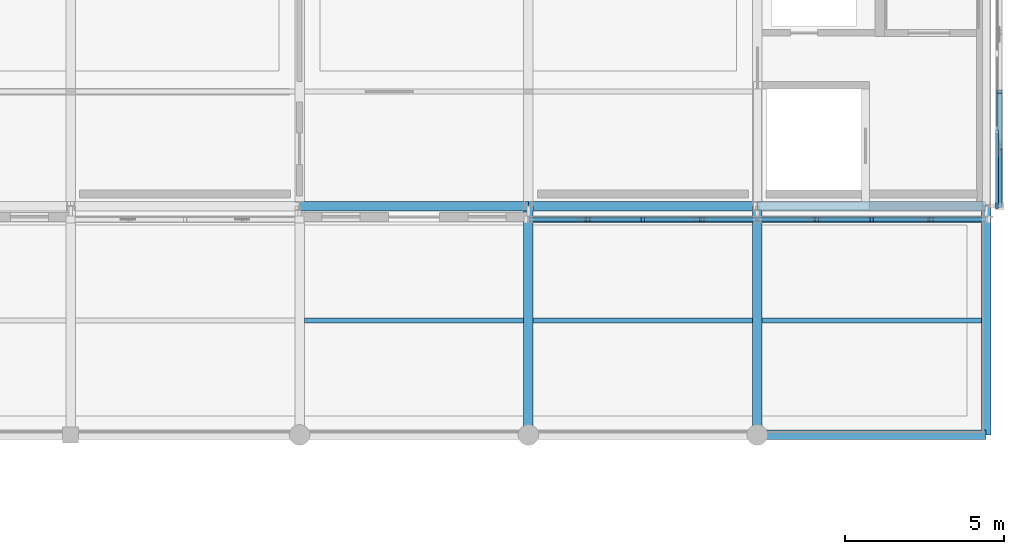
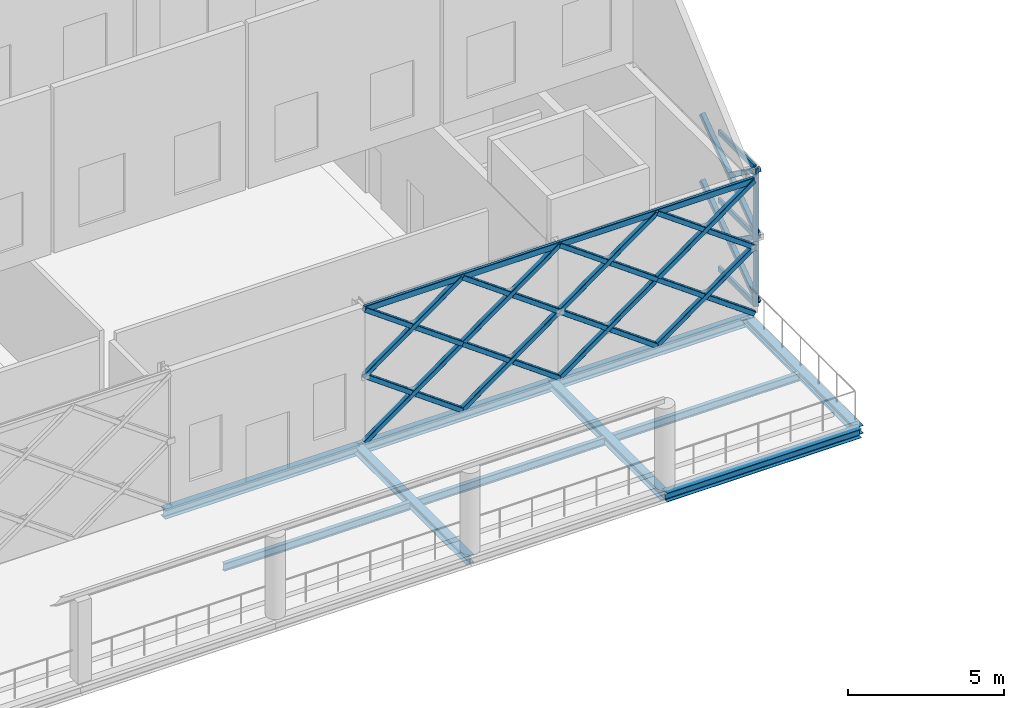
# One storey, part 13 of 31: 34 members, 10 beams, 1 element without a shape of its own.
"""IFC4 building model written with IfcOpenShell, lengths in metres."""

from ifc_helpers import new_model, si_unit, direction, frame, origin, origin_2d, place, context, subcontext, project, spatial, rectangle, hollow_rectangle, i_section, extrude, material, material_profile, profile_set, type_object, element, aggregate, save


model = new_model("IFC4")

# Units and contexts
model_context = context("Model", 3, precision=1e-05, world=origin(), true_north=direction((0.0, 1.0)))
body_context = subcontext(model_context, "Body", "Model", "MODEL_VIEW")
ifc_project = project(units=[si_unit("LENGTHUNIT", "METRE"), si_unit("AREAUNIT", "SQUARE_METRE"), si_unit("VOLUMEUNIT", "CUBIC_METRE"), si_unit("PLANEANGLEUNIT", "RADIAN"), si_unit("MASSUNIT", "GRAM", prefix="KILO")], contexts=[model_context])

# Site, building, storey
site_placement = place(None, origin())
site = spatial("IfcSite", under=ifc_project, at=site_placement, CompositionType="ELEMENT")
building_placement = place(site_placement, origin())
building = spatial("IfcBuilding", under=site, at=building_placement, Name="Zlatovets Crest Museum", CompositionType="ELEMENT")
storey_placement = place(building_placement, frame((0.0, 0.0, 25.199951171875)))
storey = spatial("IfcBuildingStorey", under=building, at=storey_placement, Name="L05", CompositionType="ELEMENT", Elevation=25.199951171875)

# Beams
ifc_material_1 = material(Name="Structural steel S355J2", Category="steel")
ifc_material_profile_1 = material_profile(ifc_material_1, i_section(OverallWidth=0.300048828125, OverallDepth=0.35009765625, WebThickness=0.010009765625, FlangeThickness=0.017578125, FilletRadius=0.027099609375, at=origin_2d()), Name="HEA 360")
ifc_profile_set_1 = profile_set([ifc_material_profile_1], Name="Structural steel S355J2")
beam_type_1 = type_object("IfcBeamType", Name="Beam_B-03", PredefinedType="BEAM", material=ifc_profile_set_1)
beam_1_placement = place(storey_placement, frame((100.800048828125, 86.39990234375, -0.4150390625), z_axis=(1.0, 0.0, 0.0), x_axis=(0.0, 1.0, 0.0)))
element("IfcBeam", 1, at=beam_1_placement, inside=storey, type_object=beam_type_1, Name="V1 L05 Primary Girder B-03", PredefinedType="BEAM", context=body_context, shape_type="SweptSolid", body=[
    extrude(i_section(OverallWidth=0.300048828125, OverallDepth=0.35009765625, WebThickness=0.010009765625, FlangeThickness=0.017578125, FilletRadius=0.027099609375, at=origin_2d()), origin(), (0.0, 0.0, 1.0), 7.199951171875),
])
beam_2_placement = place(storey_placement, frame((86.39990234375, 93.60009765625, -0.4150390625), z_axis=(1.0, 0.0, 0.0), x_axis=(0.0, 1.0, 0.0)))
element("IfcBeam", 2, at=beam_2_placement, inside=storey, type_object=beam_type_1, Name="V1 L05 Primary Girder B-03", PredefinedType="BEAM", context=body_context, shape_type="SweptSolid", body=[
    extrude(i_section(OverallWidth=0.300048828125, OverallDepth=0.35009765625, WebThickness=0.010009765625, FlangeThickness=0.017578125, FilletRadius=0.027099609375, at=origin_2d()), origin(), (0.0, 0.0, 1.0), 7.2001953125),
])
for number, where, z_axis, x_axis, name in (
    (3, (93.60009765625, 93.60009765625, -0.4150390625), (1.0, 0.0, 0.0), (0.0, 1.0, 0.0), "V1 L05 Primary Girder B-03"),
    (4, (100.800048828125, 93.60009765625, -0.4150390625), (1.0, 0.0, 0.0), (0.0, 1.0, 0.0), "V1 L05 Primary Girder B-03"),
):
    element("IfcBeam", number, at=place(storey_placement, frame(where, z_axis=z_axis, x_axis=x_axis)), inside=storey, type_object=beam_type_1, Name=name, PredefinedType="BEAM", context=body_context, shape_type="SweptSolid", body=[
        extrude(i_section(OverallWidth=0.300048828125, OverallDepth=0.35009765625, WebThickness=0.010009765625, FlangeThickness=0.017578125, FilletRadius=0.027099609375, at=origin_2d()), origin(), (0.0, 0.0, 1.0), 7.199951171875),
    ])
ifc_material_profile_2 = material_profile(ifc_material_1, i_section(OverallWidth=0.300048828125, OverallDepth=0.31005859375, WebThickness=0.009033203125, FlangeThickness=0.015380859375, FilletRadius=0.027099609375, at=origin_2d()), Name="HEA 320")
ifc_profile_set_2 = profile_set([ifc_material_profile_2], Name="Structural steel S355J2")
beam_type_2 = type_object("IfcBeamType", Name="Beam_B-04", PredefinedType="BEAM", material=ifc_profile_set_2)
for number, where, z_axis, x_axis, name in (
    (5, (93.60009765625, 86.39990234375, -0.39501953125), (0.0, 1.0, 0.0), (-1.0, 0.0, 0.0), "V1 L05 Grid Beam B-04"),
    (6, (100.800048828125, 86.39990234375, -0.39501953125), (0.0, 1.0, 0.0), (-1.0, 0.0, 0.0), "V1 L05 Grid Beam B-04"),
    (7, (108.0, 86.39990234375, -0.39501953125), (0.0, 1.0, 0.0), (-1.0, 0.0, 0.0), "V1 L05 Grid Beam B-04"),
):
    element("IfcBeam", number, at=place(storey_placement, frame(where, z_axis=z_axis, x_axis=x_axis)), inside=storey, type_object=beam_type_2, Name=name, PredefinedType="BEAM", context=body_context, shape_type="SweptSolid", body=[
        extrude(i_section(OverallWidth=0.300048828125, OverallDepth=0.31005859375, WebThickness=0.009033203125, FlangeThickness=0.015380859375, FilletRadius=0.027099609375, at=origin_2d()), origin(), (0.0, 0.0, 1.0), 7.2001953125),
    ])
ifc_material_profile_3 = material_profile(ifc_material_1, i_section(OverallWidth=0.14990234375, OverallDepth=0.300048828125, WebThickness=0.007080078125, FlangeThickness=0.0107421875, FilletRadius=0.014892578125, at=origin_2d()), Name="IPE 300")
ifc_profile_set_3 = profile_set([ifc_material_profile_3], Name="Structural steel S355J2")
beam_type_3 = type_object("IfcBeamType", Name="Beam_J-02", PredefinedType="JOIST", material=ifc_profile_set_3)
for number, where, z_axis, x_axis, name in (
    (8, (86.550048828125, 90.0, -0.389892578125), (1.0, 0.0, 0.0), (0.0, 1.0, 0.0), "V1 L05 Composite Joist J-02"),
    (9, (93.75, 90.0, -0.389892578125), (1.0, 0.0, 0.0), (0.0, 1.0, 0.0), "V1 L05 Composite Joist J-02"),
):
    element("IfcBeam", number, at=place(storey_placement, frame(where, z_axis=z_axis, x_axis=x_axis)), inside=storey, type_object=beam_type_3, Name=name, PredefinedType="JOIST", context=body_context, shape_type="SweptSolid", body=[
        extrude(i_section(OverallWidth=0.14990234375, OverallDepth=0.300048828125, WebThickness=0.007080078125, FlangeThickness=0.0107421875, FilletRadius=0.014892578125, at=origin_2d()), origin(), (0.0, 0.0, 1.0), 6.89990234375),
    ])
beam_3_placement = place(storey_placement, frame((100.949951171875, 90.0, -0.389892578125), z_axis=(1.0, 0.0, 0.0), x_axis=(0.0, 1.0, 0.0)))
element("IfcBeam", 10, at=beam_3_placement, inside=storey, type_object=beam_type_3, Name="V1 L05 Composite Joist J-02", PredefinedType="JOIST", context=body_context, shape_type="SweptSolid", body=[
    extrude(i_section(OverallWidth=0.14990234375, OverallDepth=0.300048828125, WebThickness=0.007080078125, FlangeThickness=0.0107421875, FilletRadius=0.014892578125, at=origin_2d()), origin(), (0.0, 0.0, 1.0), 6.900146484375),
])

# Curtain wall, members
ifc_material_2 = material(Name="Bronze-anodised aluminium and low-E triple glass", Category="aluminium")
curtain_wall_type = type_object("IfcCurtainWallType", Name="CW_CW-V1-L05-M3", PredefinedType="NOTDEFINED", material=ifc_material_2)
curtain_wall_placement = place(storey_placement, origin())
curtain_wall = element("IfcCurtainWall", 11, at=curtain_wall_placement, inside=storey, type_object=curtain_wall_type, Name="V1 L05 Expressed Core Glazed Facade", PredefinedType="NOTDEFINED")
ifc_material_3 = material(Name="Bronze-anodised aluminium EN AW-6060", Category="aluminium")
ifc_material_profile_4 = material_profile(ifc_material_3, rectangle(XDim=0.090087890625, YDim=0.199951171875, at=origin_2d()), Name="ALU 90x200")
ifc_profile_set_4 = profile_set([ifc_material_profile_4], Name="Bronze-anodised aluminium EN AW-6060")
member_type_1 = type_object("IfcMemberType", Name="CWMull_M2", PredefinedType="MULLION", material=ifc_profile_set_4)
member_1_placement = place(storey_placement, frame((108.340087890625, 93.6298828125, 0.0), z_axis=(0.0, 0.0, 1.0), x_axis=(-1.0, 0.0, 0.0)))
member_1 = element("IfcMember", 12, at=member_1_placement, type_object=member_type_1, Name="CW-V1-L05-M3 mullion 1", PredefinedType="MULLION", context=body_context, shape_type="SweptSolid", body=[
    extrude(rectangle(XDim=0.090087890625, YDim=0.199951171875, at=origin_2d()), origin(), (0.0, 0.0, 1.0), 5.400146484375),
])
ifc_material_profile_5 = material_profile(ifc_material_3, rectangle(XDim=0.090087890625, YDim=0.199951171875, at=origin_2d()), Name="ALU 90x200")
ifc_profile_set_5 = profile_set([ifc_material_profile_5], Name="Bronze-anodised aluminium EN AW-6060")
member_type_2 = type_object("IfcMemberType", Name="CWTrans_T2", PredefinedType="USERDEFINED", material=ifc_profile_set_5)
member_2_placement = place(storey_placement, frame((108.340087890625, 93.659912109375, 0.030029296875), z_axis=(0.0, 1.0, 0.0), x_axis=(-1.0, 0.0, 0.0)))
member_2 = element("IfcMember", 13, at=member_2_placement, type_object=member_type_2, Name="CW-V1-L05-M3 transom 1.1", ObjectType="TRANSOM", PredefinedType="USERDEFINED", context=body_context, shape_type="SweptSolid", body=[
    extrude(rectangle(XDim=0.090087890625, YDim=0.199951171875, at=origin_2d()), origin(), (0.0, 0.0, 1.0), 2.31005859375),
])
member_3_placement = place(storey_placement, frame((108.340087890625, 93.659912109375, 2.699951171875), z_axis=(0.0, 1.0, 0.0), x_axis=(-1.0, 0.0, 0.0)))
member_3 = element("IfcMember", 14, at=member_3_placement, type_object=member_type_2, Name="CW-V1-L05-M3 transom 1.2", ObjectType="TRANSOM", PredefinedType="USERDEFINED", context=body_context, shape_type="SweptSolid", body=[
    extrude(rectangle(XDim=0.090087890625, YDim=0.199951171875, at=origin_2d()), origin(), (0.0, 0.0, 1.0), 2.31005859375),
])
member_4_placement = place(storey_placement, frame((108.340087890625, 93.659912109375, 5.3701171875), z_axis=(0.0, 1.0, 0.0), x_axis=(-1.0, 0.0, 0.0)))
member_4 = element("IfcMember", 15, at=member_4_placement, type_object=member_type_2, Name="CW-V1-L05-M3 transom 1.3", ObjectType="TRANSOM", PredefinedType="USERDEFINED", context=body_context, shape_type="SweptSolid", body=[
    extrude(rectangle(XDim=0.090087890625, YDim=0.199951171875, at=origin_2d()), origin(), (0.0, 0.0, 1.0), 2.31005859375),
])
aggregate(curtain_wall, [member_1, member_2, member_3, member_4])

# Members
ifc_material_4 = material(Name="Weathering bronze-steel S355J2W", Category="steel")
ifc_material_profile_6 = material_profile(ifc_material_4, hollow_rectangle(XDim=0.179931640625, YDim=0.179931640625, WallThickness=0.010009765625, InnerFilletRadius=0.010009765625, OuterFilletRadius=0.02001953125, at=origin_2d()), Name="SHS 180x180x10.0")
ifc_profile_set_6 = profile_set([ifc_material_profile_6], Name="Weathering bronze-steel S355J2W")
member_type_3 = type_object("IfcMemberType", Name="Lattice_XL-01", PredefinedType="BRACE", material=ifc_profile_set_6)
member_5_placement = place(storey_placement, frame((93.60009765625, 93.179931640625, 0.10009765625), z_axis=(0.810683577727, 0.0, 0.585484531652), x_axis=(0.0, 1.0, 0.0)))
element("IfcMember", 16, at=member_5_placement, inside=storey, type_object=member_type_3, Name="Continuous Bronze Lattice Diagonal", PredefinedType="BRACE", context=body_context, shape_type="SweptSolid", body=[
    extrude(hollow_rectangle(XDim=0.179931640625, YDim=0.179931640625, WallThickness=0.010009765625, InnerFilletRadius=0.010009765625, OuterFilletRadius=0.02001953125, at=origin_2d()), origin(), (0.0, 0.0, 1.0), 4.4404296875),
])
for number, where, z_axis, x_axis, name in (
    (17, (93.60009765625, 93.179931640625, 2.699951171875), (0.810664082502, 0.0, -0.585511524516), (0.0, 1.0, 0.0), "Split Crossing Bronze Lattice Diagonal Upper"),
    (18, (95.47705078125, 93.179931640625, 1.344482421875), (0.810664082502, 0.0, -0.585511524516), (0.0, 1.0, 0.0), "Split Crossing Bronze Lattice Diagonal Lower"),
):
    element("IfcMember", number, at=place(storey_placement, frame(where, z_axis=z_axis, x_axis=x_axis)), inside=storey, type_object=member_type_3, Name=name, PredefinedType="BRACE", context=body_context, shape_type="SweptSolid", body=[
        extrude(hollow_rectangle(XDim=0.179931640625, YDim=0.179931640625, WallThickness=0.010009765625, InnerFilletRadius=0.010009765625, OuterFilletRadius=0.02001953125, at=origin_2d()), origin(), (0.0, 0.0, 1.0), 2.125244140625),
    ])
member_6_placement = place(storey_placement, frame((97.199951171875, 93.179931640625, 0.10009765625), z_axis=(0.810702423259, 0.0, 0.585458436545), x_axis=(0.0, 1.0, 0.0)))
element("IfcMember", 19, at=member_6_placement, inside=storey, type_object=member_type_3, Name="Continuous Bronze Lattice Diagonal", PredefinedType="BRACE", context=body_context, shape_type="SweptSolid", body=[
    extrude(hollow_rectangle(XDim=0.179931640625, YDim=0.179931640625, WallThickness=0.010009765625, InnerFilletRadius=0.010009765625, OuterFilletRadius=0.02001953125, at=origin_2d()), origin(), (0.0, 0.0, 1.0), 4.440673828125),
])
for number, where, z_axis, x_axis, name in (
    (20, (97.199951171875, 93.179931640625, 2.699951171875), (0.810703458452, 0.0, -0.585457003079), (0.0, 1.0, 0.0), "Split Crossing Bronze Lattice Diagonal Upper"),
    (21, (99.076904296875, 93.179931640625, 1.344482421875), (0.810703458452, 0.0, -0.585457003079), (0.0, 1.0, 0.0), "Split Crossing Bronze Lattice Diagonal Lower"),
):
    element("IfcMember", number, at=place(storey_placement, frame(where, z_axis=z_axis, x_axis=x_axis)), inside=storey, type_object=member_type_3, Name=name, PredefinedType="BRACE", context=body_context, shape_type="SweptSolid", body=[
        extrude(hollow_rectangle(XDim=0.179931640625, YDim=0.179931640625, WallThickness=0.010009765625, InnerFilletRadius=0.010009765625, OuterFilletRadius=0.02001953125, at=origin_2d()), origin(), (0.0, 0.0, 1.0), 2.12548828125),
    ])
member_7_placement = place(storey_placement, frame((93.60009765625, 93.179931640625, 2.699951171875), z_axis=(0.810657481794, 0.0, 0.585520663351), x_axis=(0.0, 1.0, 0.0)))
element("IfcMember", 22, at=member_7_placement, inside=storey, type_object=member_type_3, Name="Continuous Bronze Lattice Diagonal", PredefinedType="BRACE", context=body_context, shape_type="SweptSolid", body=[
    extrude(hollow_rectangle(XDim=0.179931640625, YDim=0.179931640625, WallThickness=0.010009765625, InnerFilletRadius=0.010009765625, OuterFilletRadius=0.02001953125, at=origin_2d()), origin(), (0.0, 0.0, 1.0), 4.440673828125),
])
for number, where, z_axis, x_axis, name in (
    (23, (93.60009765625, 93.179931640625, 5.300048828125), (0.810664082502, 0.0, -0.585511524516), (0.0, 1.0, 0.0), "Split Crossing Bronze Lattice Diagonal Upper"),
    (24, (95.47705078125, 93.179931640625, 3.9443359375), (0.810664082502, 0.0, -0.585511524516), (0.0, 1.0, 0.0), "Split Crossing Bronze Lattice Diagonal Lower"),
):
    element("IfcMember", number, at=place(storey_placement, frame(where, z_axis=z_axis, x_axis=x_axis)), inside=storey, type_object=member_type_3, Name=name, PredefinedType="BRACE", context=body_context, shape_type="SweptSolid", body=[
        extrude(hollow_rectangle(XDim=0.179931640625, YDim=0.179931640625, WallThickness=0.010009765625, InnerFilletRadius=0.010009765625, OuterFilletRadius=0.02001953125, at=origin_2d()), origin(), (0.0, 0.0, 1.0), 2.125244140625),
    ])
member_8_placement = place(storey_placement, frame((97.199951171875, 93.179931640625, 2.699951171875), z_axis=(0.810676329046, 0.0, 0.585494568313), x_axis=(0.0, 1.0, 0.0)))
element("IfcMember", 25, at=member_8_placement, inside=storey, type_object=member_type_3, Name="Continuous Bronze Lattice Diagonal", PredefinedType="BRACE", context=body_context, shape_type="SweptSolid", body=[
    extrude(hollow_rectangle(XDim=0.179931640625, YDim=0.179931640625, WallThickness=0.010009765625, InnerFilletRadius=0.010009765625, OuterFilletRadius=0.02001953125, at=origin_2d()), origin(), (0.0, 0.0, 1.0), 4.44091796875),
])
for number, where, z_axis, x_axis, name in (
    (26, (97.199951171875, 93.179931640625, 5.300048828125), (0.810703458452, 0.0, -0.585457003079), (0.0, 1.0, 0.0), "Split Crossing Bronze Lattice Diagonal Upper"),
    (27, (99.076904296875, 93.179931640625, 3.9443359375), (0.810703458452, 0.0, -0.585457003079), (0.0, 1.0, 0.0), "Split Crossing Bronze Lattice Diagonal Lower"),
):
    element("IfcMember", number, at=place(storey_placement, frame(where, z_axis=z_axis, x_axis=x_axis)), inside=storey, type_object=member_type_3, Name=name, PredefinedType="BRACE", context=body_context, shape_type="SweptSolid", body=[
        extrude(hollow_rectangle(XDim=0.179931640625, YDim=0.179931640625, WallThickness=0.010009765625, InnerFilletRadius=0.010009765625, OuterFilletRadius=0.02001953125, at=origin_2d()), origin(), (0.0, 0.0, 1.0), 2.12548828125),
    ])
member_9_placement = place(storey_placement, frame((100.800048828125, 93.179931640625, 0.10009765625), z_axis=(0.810683577727, 0.0, 0.585484531652), x_axis=(0.0, 1.0, 0.0)))
element("IfcMember", 28, at=member_9_placement, inside=storey, type_object=member_type_3, Name="Continuous Bronze Lattice Diagonal", PredefinedType="BRACE", context=body_context, shape_type="SweptSolid", body=[
    extrude(hollow_rectangle(XDim=0.179931640625, YDim=0.179931640625, WallThickness=0.010009765625, InnerFilletRadius=0.010009765625, OuterFilletRadius=0.02001953125, at=origin_2d()), origin(), (0.0, 0.0, 1.0), 4.4404296875),
])
for number, where, z_axis, x_axis, name in (
    (29, (100.800048828125, 93.179931640625, 2.699951171875), (0.810664082502, 0.0, -0.585511524516), (0.0, 1.0, 0.0), "Split Crossing Bronze Lattice Diagonal Upper"),
    (30, (102.677001953125, 93.179931640625, 1.344482421875), (0.810664082502, 0.0, -0.585511524516), (0.0, 1.0, 0.0), "Split Crossing Bronze Lattice Diagonal Lower"),
):
    element("IfcMember", number, at=place(storey_placement, frame(where, z_axis=z_axis, x_axis=x_axis)), inside=storey, type_object=member_type_3, Name=name, PredefinedType="BRACE", context=body_context, shape_type="SweptSolid", body=[
        extrude(hollow_rectangle(XDim=0.179931640625, YDim=0.179931640625, WallThickness=0.010009765625, InnerFilletRadius=0.010009765625, OuterFilletRadius=0.02001953125, at=origin_2d()), origin(), (0.0, 0.0, 1.0), 2.125244140625),
    ])
member_10_placement = place(storey_placement, frame((104.39990234375, 93.179931640625, 0.10009765625), z_axis=(0.810702423259, 0.0, 0.585458436545), x_axis=(0.0, 1.0, 0.0)))
element("IfcMember", 31, at=member_10_placement, inside=storey, type_object=member_type_3, Name="Continuous Bronze Lattice Diagonal", PredefinedType="BRACE", context=body_context, shape_type="SweptSolid", body=[
    extrude(hollow_rectangle(XDim=0.179931640625, YDim=0.179931640625, WallThickness=0.010009765625, InnerFilletRadius=0.010009765625, OuterFilletRadius=0.02001953125, at=origin_2d()), origin(), (0.0, 0.0, 1.0), 4.440673828125),
])
member_11_placement = place(storey_placement, frame((104.39990234375, 93.179931640625, 2.699951171875), z_axis=(0.810703458452, 0.0, -0.585457003079), x_axis=(0.0, 1.0, 0.0)))
element("IfcMember", 32, at=member_11_placement, inside=storey, type_object=member_type_3, Name="Split Crossing Bronze Lattice Diagonal Upper", PredefinedType="BRACE", context=body_context, shape_type="SweptSolid", body=[
    extrude(hollow_rectangle(XDim=0.179931640625, YDim=0.179931640625, WallThickness=0.010009765625, InnerFilletRadius=0.010009765625, OuterFilletRadius=0.02001953125, at=origin_2d()), origin(), (0.0, 0.0, 1.0), 2.12548828125),
])
member_12_placement = place(storey_placement, frame((106.277099609375, 93.179931640625, 1.344482421875), z_axis=(0.810664082502, 0.0, -0.585511524516), x_axis=(0.0, 1.0, 0.0)))
element("IfcMember", 33, at=member_12_placement, inside=storey, type_object=member_type_3, Name="Split Crossing Bronze Lattice Diagonal Lower", PredefinedType="BRACE", context=body_context, shape_type="SweptSolid", body=[
    extrude(hollow_rectangle(XDim=0.179931640625, YDim=0.179931640625, WallThickness=0.010009765625, InnerFilletRadius=0.010009765625, OuterFilletRadius=0.02001953125, at=origin_2d()), origin(), (0.0, 0.0, 1.0), 2.125244140625),
])
member_13_placement = place(storey_placement, frame((100.800048828125, 93.179931640625, 2.699951171875), z_axis=(0.810657481794, 0.0, 0.585520663351), x_axis=(0.0, 1.0, 0.0)))
element("IfcMember", 34, at=member_13_placement, inside=storey, type_object=member_type_3, Name="Continuous Bronze Lattice Diagonal", PredefinedType="BRACE", context=body_context, shape_type="SweptSolid", body=[
    extrude(hollow_rectangle(XDim=0.179931640625, YDim=0.179931640625, WallThickness=0.010009765625, InnerFilletRadius=0.010009765625, OuterFilletRadius=0.02001953125, at=origin_2d()), origin(), (0.0, 0.0, 1.0), 4.440673828125),
])
for number, where, z_axis, x_axis, name in (
    (35, (100.800048828125, 93.179931640625, 5.300048828125), (0.810664082502, 0.0, -0.585511524516), (0.0, 1.0, 0.0), "Split Crossing Bronze Lattice Diagonal Upper"),
    (36, (102.677001953125, 93.179931640625, 3.9443359375), (0.810664082502, 0.0, -0.585511524516), (0.0, 1.0, 0.0), "Split Crossing Bronze Lattice Diagonal Lower"),
):
    element("IfcMember", number, at=place(storey_placement, frame(where, z_axis=z_axis, x_axis=x_axis)), inside=storey, type_object=member_type_3, Name=name, PredefinedType="BRACE", context=body_context, shape_type="SweptSolid", body=[
        extrude(hollow_rectangle(XDim=0.179931640625, YDim=0.179931640625, WallThickness=0.010009765625, InnerFilletRadius=0.010009765625, OuterFilletRadius=0.02001953125, at=origin_2d()), origin(), (0.0, 0.0, 1.0), 2.125244140625),
    ])
member_14_placement = place(storey_placement, frame((104.39990234375, 93.179931640625, 2.699951171875), z_axis=(0.810676329046, 0.0, 0.585494568313), x_axis=(0.0, 1.0, 0.0)))
element("IfcMember", 37, at=member_14_placement, inside=storey, type_object=member_type_3, Name="Continuous Bronze Lattice Diagonal", PredefinedType="BRACE", context=body_context, shape_type="SweptSolid", body=[
    extrude(hollow_rectangle(XDim=0.179931640625, YDim=0.179931640625, WallThickness=0.010009765625, InnerFilletRadius=0.010009765625, OuterFilletRadius=0.02001953125, at=origin_2d()), origin(), (0.0, 0.0, 1.0), 4.44091796875),
])
member_15_placement = place(storey_placement, frame((104.39990234375, 93.179931640625, 5.300048828125), z_axis=(0.810703458452, 0.0, -0.585457003079), x_axis=(0.0, 1.0, 0.0)))
element("IfcMember", 38, at=member_15_placement, inside=storey, type_object=member_type_3, Name="Split Crossing Bronze Lattice Diagonal Upper", PredefinedType="BRACE", context=body_context, shape_type="SweptSolid", body=[
    extrude(hollow_rectangle(XDim=0.179931640625, YDim=0.179931640625, WallThickness=0.010009765625, InnerFilletRadius=0.010009765625, OuterFilletRadius=0.02001953125, at=origin_2d()), origin(), (0.0, 0.0, 1.0), 2.12548828125),
])
member_16_placement = place(storey_placement, frame((106.277099609375, 93.179931640625, 3.9443359375), z_axis=(0.810664082502, 0.0, -0.585511524516), x_axis=(0.0, 1.0, 0.0)))
element("IfcMember", 39, at=member_16_placement, inside=storey, type_object=member_type_3, Name="Split Crossing Bronze Lattice Diagonal Lower", PredefinedType="BRACE", context=body_context, shape_type="SweptSolid", body=[
    extrude(hollow_rectangle(XDim=0.179931640625, YDim=0.179931640625, WallThickness=0.010009765625, InnerFilletRadius=0.010009765625, OuterFilletRadius=0.02001953125, at=origin_2d()), origin(), (0.0, 0.0, 1.0), 2.125244140625),
])
member_17_placement = place(storey_placement, frame((108.419921875, 93.60009765625, 0.10009765625), z_axis=(0.0, 0.810683577727, 0.585484531652), x_axis=(-1.0, 0.0, 0.0)))
element("IfcMember", 40, at=member_17_placement, inside=storey, type_object=member_type_3, Name="Continuous Bronze Lattice Diagonal", PredefinedType="BRACE", context=body_context, shape_type="SweptSolid", body=[
    extrude(hollow_rectangle(XDim=0.179931640625, YDim=0.179931640625, WallThickness=0.010009765625, InnerFilletRadius=0.010009765625, OuterFilletRadius=0.02001953125, at=origin_2d()), origin(), (0.0, 0.0, 1.0), 4.4404296875),
])
member_18_placement = place(storey_placement, frame((108.419921875, 93.60009765625, 2.699951171875), z_axis=(0.0, 0.810664082502, -0.585511524516), x_axis=(-1.0, 0.0, 0.0)))
element("IfcMember", 41, at=member_18_placement, inside=storey, type_object=member_type_3, Name="Split Crossing Bronze Lattice Diagonal Upper", PredefinedType="BRACE", context=body_context, shape_type="SweptSolid", body=[
    extrude(hollow_rectangle(XDim=0.179931640625, YDim=0.179931640625, WallThickness=0.010009765625, InnerFilletRadius=0.010009765625, OuterFilletRadius=0.02001953125, at=origin_2d()), origin(), (0.0, 0.0, 1.0), 2.125244140625),
])
member_19_placement = place(storey_placement, frame((108.419921875, 93.60009765625, 2.699951171875), z_axis=(0.0, 0.810657481794, 0.585520663351), x_axis=(-1.0, 0.0, 0.0)))
element("IfcMember", 42, at=member_19_placement, inside=storey, type_object=member_type_3, Name="Continuous Bronze Lattice Diagonal", PredefinedType="BRACE", context=body_context, shape_type="SweptSolid", body=[
    extrude(hollow_rectangle(XDim=0.179931640625, YDim=0.179931640625, WallThickness=0.010009765625, InnerFilletRadius=0.010009765625, OuterFilletRadius=0.02001953125, at=origin_2d()), origin(), (0.0, 0.0, 1.0), 4.440673828125),
])
member_20_placement = place(storey_placement, frame((108.419921875, 93.60009765625, 5.300048828125), z_axis=(0.0, 0.810664082502, -0.585511524516), x_axis=(-1.0, 0.0, 0.0)))
element("IfcMember", 43, at=member_20_placement, inside=storey, type_object=member_type_3, Name="Split Crossing Bronze Lattice Diagonal Upper", PredefinedType="BRACE", context=body_context, shape_type="SweptSolid", body=[
    extrude(hollow_rectangle(XDim=0.179931640625, YDim=0.179931640625, WallThickness=0.010009765625, InnerFilletRadius=0.010009765625, OuterFilletRadius=0.02001953125, at=origin_2d()), origin(), (0.0, 0.0, 1.0), 2.125244140625),
])
ifc_material_profile_7 = material_profile(ifc_material_4, hollow_rectangle(XDim=0.1201171875, YDim=0.239990234375, WallThickness=0.010009765625, InnerFilletRadius=0.010009765625, OuterFilletRadius=0.02001953125, at=origin_2d()), Name="RHS 120x240x10.0")
ifc_profile_set_7 = profile_set([ifc_material_profile_7], Name="Weathering bronze-steel S355J2W")
member_type_4 = type_object("IfcMemberType", Name="Lattice_XL-04", PredefinedType="CHORD", material=ifc_profile_set_7)
for number, where, z_axis, x_axis, name in (
    (44, (93.60009765625, 93.179931640625, 5.300048828125), (1.0, 0.0, 0.0), (0.0, 1.0, 0.0), "Art Nouveau Woven Cage Collector Ring Chord"),
    (45, (100.800048828125, 93.179931640625, 5.300048828125), (1.0, 0.0, 0.0), (0.0, 1.0, 0.0), "Art Nouveau Woven Cage Collector Ring Chord"),
):
    element("IfcMember", number, at=place(storey_placement, frame(where, z_axis=z_axis, x_axis=x_axis)), inside=storey, type_object=member_type_4, Name=name, PredefinedType="CHORD", context=body_context, shape_type="SweptSolid", body=[
        extrude(hollow_rectangle(XDim=0.1201171875, YDim=0.239990234375, WallThickness=0.010009765625, InnerFilletRadius=0.010009765625, OuterFilletRadius=0.02001953125, at=origin_2d()), origin(), (0.0, 0.0, 1.0), 7.199951171875),
    ])

save(model, "model.ifc")
